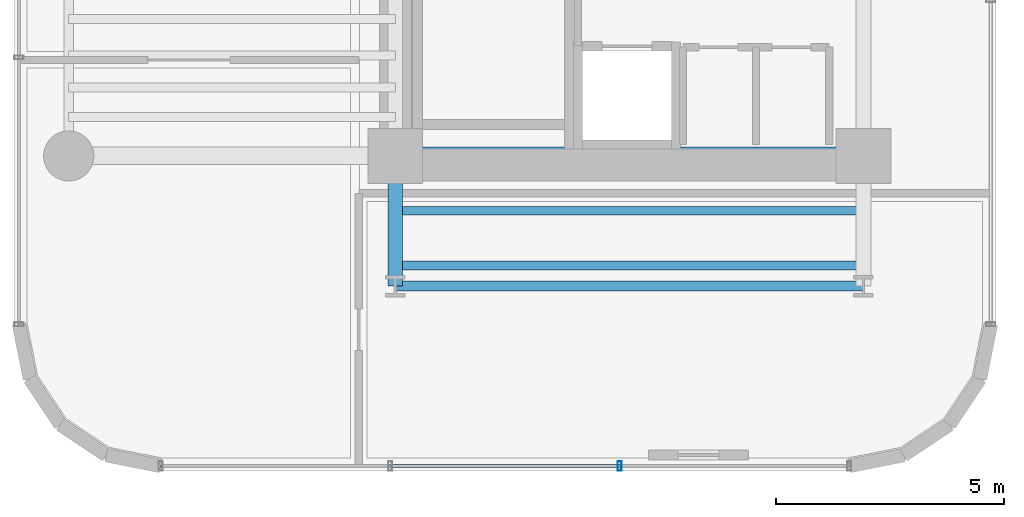
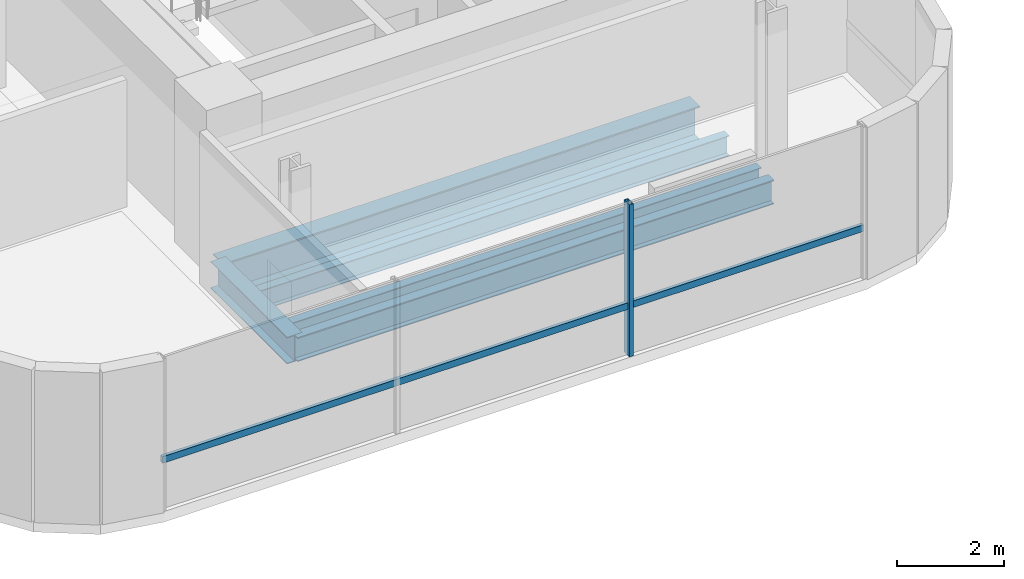
# One storey, part 3 of 34: 5 beams, 2 members, 1 element without a shape of its own.
"""IFC4 building model written with IfcOpenShell, lengths in metres."""

from ifc_helpers import new_model, si_unit, direction, frame, origin, origin_2d, place, context, subcontext, project, spatial, hollow_rectangle, i_section, extrude, source, transform, mapped, material, material_profile, profile_set, type_object, element, aggregate, save


model = new_model("IFC4")

# Units and contexts
model_context = context("Model", 3, precision=1e-05, world=origin(), true_north=direction((0.0, 1.0)))
body_context = subcontext(model_context, "Body", "Model", "MODEL_VIEW")
ifc_project = project(units=[si_unit("LENGTHUNIT", "METRE"), si_unit("AREAUNIT", "SQUARE_METRE"), si_unit("VOLUMEUNIT", "CUBIC_METRE"), si_unit("PLANEANGLEUNIT", "RADIAN"), si_unit("MASSUNIT", "GRAM", prefix="KILO")], contexts=[model_context])

# Site, building, storey
site_placement = place(None, origin())
site = spatial("IfcSite", under=ifc_project, at=site_placement, CompositionType="ELEMENT")
building_placement = place(site_placement, origin())
building = spatial("IfcBuilding", under=site, at=building_placement, Name="Valdorenza Pilgrim Sanctuary Tower", CompositionType="ELEMENT")
storey_placement = place(building_placement, frame((0.0, 0.0, 146.39990234375)))
storey = spatial("IfcBuildingStorey", under=building, at=storey_placement, Name="L37", CompositionType="ELEMENT", Elevation=146.39990234375)

# Beams
ifc_material_1 = material(Name="Steel ASTM A992 Grade 50", Category="steel")
ifc_material_profile_1 = material_profile(ifc_material_1, i_section(OverallWidth=0.214111328125, OverallDepth=0.549072265625, WebThickness=0.0146484375, FlangeThickness=0.023681640625, at=origin_2d()), Name="W21X93")
ifc_profile_set_1 = profile_set([ifc_material_profile_1], Name="Steel ASTM A992 Grade 50")
beam_type_1 = type_object("IfcBeamType", Name="STR-BM-SPN-W21A", PredefinedType="SPANDREL", material=ifc_profile_set_1)
shared_shape_1 = source(origin(), body_context, "Body", "SweptSolid", [
    extrude(i_section(OverallWidth=0.214111328125, OverallDepth=0.549072265625, WebThickness=0.0146484375, FlangeThickness=0.023681640625, at=origin_2d()), origin(), (0.0, 0.0, 1.0), 10.25),
])
beam_1_placement = place(storey_placement, frame((-22.64990234375, -13.449951171875, -0.514404296875), z_axis=(1.0, 0.0, 0.0), x_axis=(0.0, 1.0, 0.0)))
element("IfcBeam", 1, at=beam_1_placement, inside=storey, type_object=beam_type_1, Name="L37 South Spandrel WA-S-TIE", PredefinedType="SPANDREL", context=body_context, shape_type="MappedRepresentation", body=[
    mapped(shared_shape_1, transform((0.0, 0.0, 0.0), x_axis=(1.0, 0.0, 0.0), y_axis=(0.0, 1.0, 0.0), z_axis=(0.0, 0.0, 1.0), scale=1.0)),
])
ifc_material_profile_2 = material_profile(ifc_material_1, i_section(OverallWidth=0.323974609375, OverallDepth=0.611083984375, WebThickness=0.0126953125, FlangeThickness=0.01904296875, at=origin_2d()), Name="W24X104")
ifc_profile_set_2 = profile_set([ifc_material_profile_2], Name="Steel ASTM A992 Grade 50")
beam_type_2 = type_object("IfcBeamType", Name="STR-BM-GRD-W24B", PredefinedType="BEAM", material=ifc_profile_set_2)
shared_shape_2 = source(origin(), body_context, "Body", "SweptSolid", [
    extrude(i_section(OverallWidth=0.323974609375, OverallDepth=0.611083984375, WebThickness=0.0126953125, FlangeThickness=0.01904296875, at=origin_2d()), origin(), (0.0, 0.0, 1.0), 2.849853515625),
])
beam_2_placement = place(storey_placement, frame((-22.64990234375, -13.449951171875, -0.54541015625), z_axis=(0.0, 1.0, 0.0), x_axis=(-1.0, 0.0, 0.0)))
element("IfcBeam", 2, at=beam_2_placement, inside=storey, type_object=beam_type_2, Name="L37 Floor Girder WA-S-LW", PredefinedType="BEAM", context=body_context, shape_type="MappedRepresentation", body=[
    mapped(shared_shape_2, transform((0.0, 0.0, 0.0), x_axis=(1.0, 0.0, 0.0), y_axis=(0.0, 1.0, 0.0), z_axis=(0.0, 0.0, 1.0), scale=1.0)),
])
ifc_material_profile_3 = material_profile(ifc_material_1, i_section(OverallWidth=0.382080078125, OverallDepth=0.779052734375, WebThickness=0.01806640625, FlangeThickness=0.030029296875, at=origin_2d()), Name="W30X191")
ifc_profile_set_3 = profile_set([ifc_material_profile_3], Name="Steel ASTM A992 Grade 50")
beam_type_3 = type_object("IfcBeamType", Name="STR-BM-GRD-W30", PredefinedType="BEAM", material=ifc_profile_set_3)
shared_shape_3 = source(origin(), body_context, "Body", "SweptSolid", [
    extrude(i_section(OverallWidth=0.382080078125, OverallDepth=0.779052734375, WebThickness=0.01806640625, FlangeThickness=0.030029296875, at=origin_2d()), origin(), (0.0, 0.0, 1.0), 10.25),
])
beam_3_placement = place(storey_placement, frame((-22.64990234375, -10.60009765625, -0.62939453125), z_axis=(1.0, 0.0, 0.0), x_axis=(0.0, 1.0, 0.0)))
element("IfcBeam", 3, at=beam_3_placement, inside=storey, type_object=beam_type_3, Name="L37 Floor Girder CA-XC-S1", PredefinedType="BEAM", context=body_context, shape_type="MappedRepresentation", body=[
    mapped(shared_shape_3, transform((0.0, 0.0, 0.0), x_axis=(1.0, 0.0, 0.0), y_axis=(0.0, 1.0, 0.0), z_axis=(0.0, 0.0, 1.0), scale=1.0)),
])
ifc_material_profile_4 = material_profile(ifc_material_1, i_section(OverallWidth=0.19091796875, OverallDepth=0.45703125, WebThickness=0.009033203125, FlangeThickness=0.014404296875, at=origin_2d()), Name="W18X50")
ifc_profile_set_4 = profile_set([ifc_material_profile_4], Name="Steel ASTM A992 Grade 50")
beam_type_4 = type_object("IfcBeamType", Name="STR-BM-JST-W18B", PredefinedType="JOIST", material=ifc_profile_set_4)
shared_shape_4 = source(origin(), body_context, "Body", "SweptSolid", [
    extrude(i_section(OverallWidth=0.19091796875, OverallDepth=0.45703125, WebThickness=0.009033203125, FlangeThickness=0.014404296875, at=origin_2d()), origin(), (0.0, 0.0, 1.0), 10.25),
])
for number, where, z_axis, x_axis, name in (
    (4, (-22.64990234375, -13.0, -0.468505859375), (1.0, 0.0, 0.0), (0.0, 1.0, 0.0), "L37 Composite Floor Joist JST-WAS-1"),
    (5, (-22.64990234375, -11.800048828125, -0.468505859375), (1.0, 0.0, 0.0), (0.0, 1.0, 0.0), "L37 Composite Floor Joist JST-WAS-2"),
):
    element("IfcBeam", number, at=place(storey_placement, frame(where, z_axis=z_axis, x_axis=x_axis)), inside=storey, type_object=beam_type_4, Name=name, PredefinedType="JOIST", context=body_context, shape_type="MappedRepresentation", body=[
        mapped(shared_shape_4, transform((0.0, 0.0, 0.0), x_axis=(1.0, 0.0, 0.0), y_axis=(0.0, 1.0, 0.0), z_axis=(0.0, 0.0, 1.0), scale=1.0)),
    ])

# Curtain wall, members
ifc_material_2 = material(Name="Curtain-wall IGU glazing", Category="glass")
curtain_wall_type = type_object("IfcCurtainWallType", Name="CW-SYS-02", PredefinedType="NOTDEFINED", material=ifc_material_2)
curtain_wall_placement = place(storey_placement, origin())
curtain_wall = element("IfcCurtainWall", 6, at=curtain_wall_placement, inside=storey, type_object=curtain_wall_type, Name="L37 Curtain Wall CW-L37-1-46", PredefinedType="NOTDEFINED")
ifc_material_3 = material(Name="Anodised aluminium AW-6060", Category="aluminium")
ifc_material_profile_5 = material_profile(ifc_material_3, hollow_rectangle(XDim=0.0849609375, YDim=0.199951171875, WallThickness=0.0048828125, at=origin_2d()), Name="ALU-M 200x85x5")
ifc_profile_set_5 = profile_set([ifc_material_profile_5], Name="Anodised aluminium AW-6060")
member_type_1 = type_object("IfcMemberType", Name="CW-MUL-02", PredefinedType="MULLION", material=ifc_profile_set_5)
shared_shape_5 = source(origin(), body_context, "Body", "SweptSolid", [
    extrude(hollow_rectangle(XDim=0.0849609375, YDim=0.199951171875, WallThickness=0.0048828125, at=origin_2d()), origin(), (0.0, 0.0, 1.0), 3.460205078125),
])
member_1_placement = place(storey_placement, frame((-17.73681640625, -17.389892578125, 0.0), z_axis=(0.0, 0.0, 1.0), x_axis=(-1.0, 0.0, 0.0)))
member_1 = element("IfcMember", 7, at=member_1_placement, type_object=member_type_1, Name="CW-L37-1-46 Mullion 2", PredefinedType="MULLION", context=body_context, shape_type="MappedRepresentation", body=[
    mapped(shared_shape_5, transform((0.0, 0.0, 0.0), x_axis=(1.0, 0.0, 0.0), y_axis=(0.0, 1.0, 0.0), z_axis=(0.0, 0.0, 1.0), scale=1.0)),
])
ifc_material_profile_6 = material_profile(ifc_material_3, hollow_rectangle(XDim=0.074951171875, YDim=0.14990234375, WallThickness=0.00390625, at=origin_2d()), Name="ALU-T 150x75x4")
ifc_profile_set_6 = profile_set([ifc_material_profile_6], Name="Anodised aluminium AW-6060")
member_type_2 = type_object("IfcMemberType", Name="CW-TRN-02", PredefinedType="USERDEFINED", material=ifc_profile_set_6)
shared_shape_6 = source(origin(), body_context, "Body", "SweptSolid", [
    extrude(hollow_rectangle(XDim=0.074951171875, YDim=0.14990234375, WallThickness=0.00390625, at=origin_2d()), origin(), (0.0, 0.0, 1.0), 15.07861328125),
])
member_2_placement = place(storey_placement, frame((-12.710693359375, -17.389892578125, 1.1201171875), z_axis=(-1.0, 0.0, 0.0), x_axis=(0.0, -1.0, 0.0)))
member_2 = element("IfcMember", 8, at=member_2_placement, type_object=member_type_2, Name="CW-L37-1-46 Transom 1", ObjectType="TRANSOM", PredefinedType="USERDEFINED", context=body_context, shape_type="MappedRepresentation", body=[
    mapped(shared_shape_6, transform((0.0, 0.0, 0.0), x_axis=(1.0, 0.0, 0.0), y_axis=(0.0, 1.0, 0.0), z_axis=(0.0, 0.0, 1.0), scale=1.0)),
])
aggregate(curtain_wall, [member_1, member_2])

save(model, "model.ifc")
